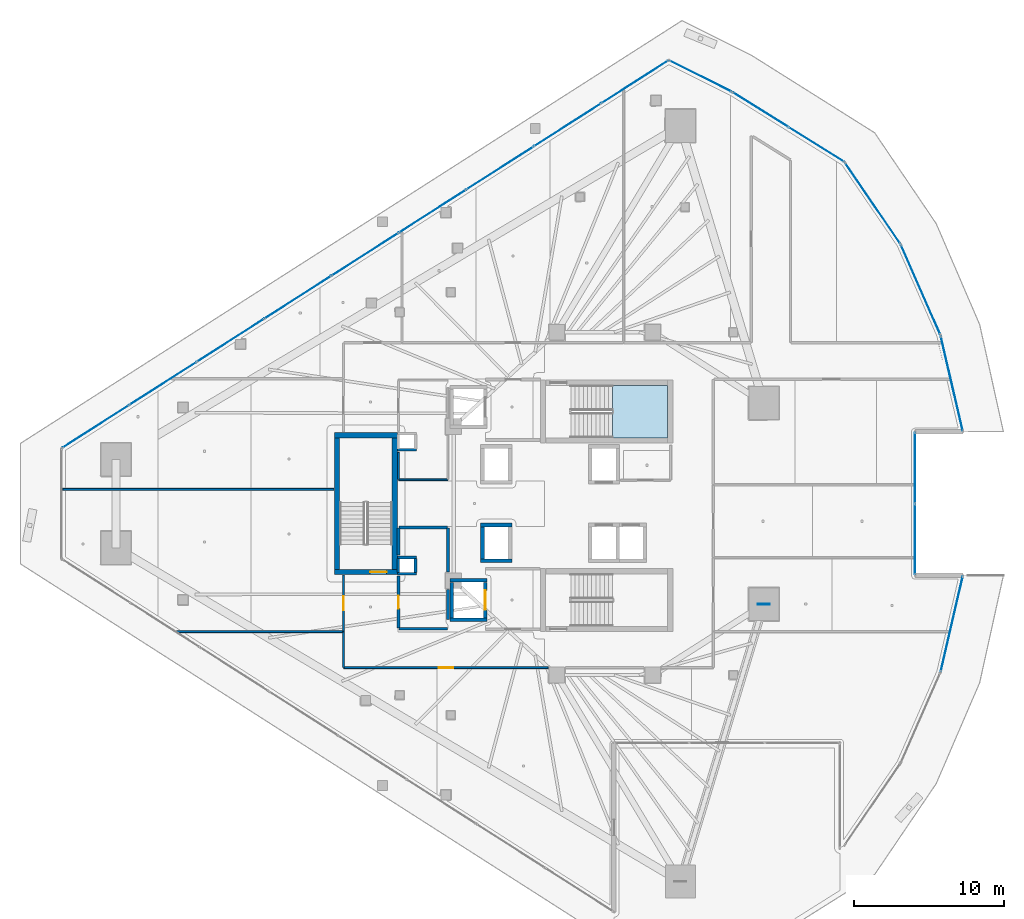
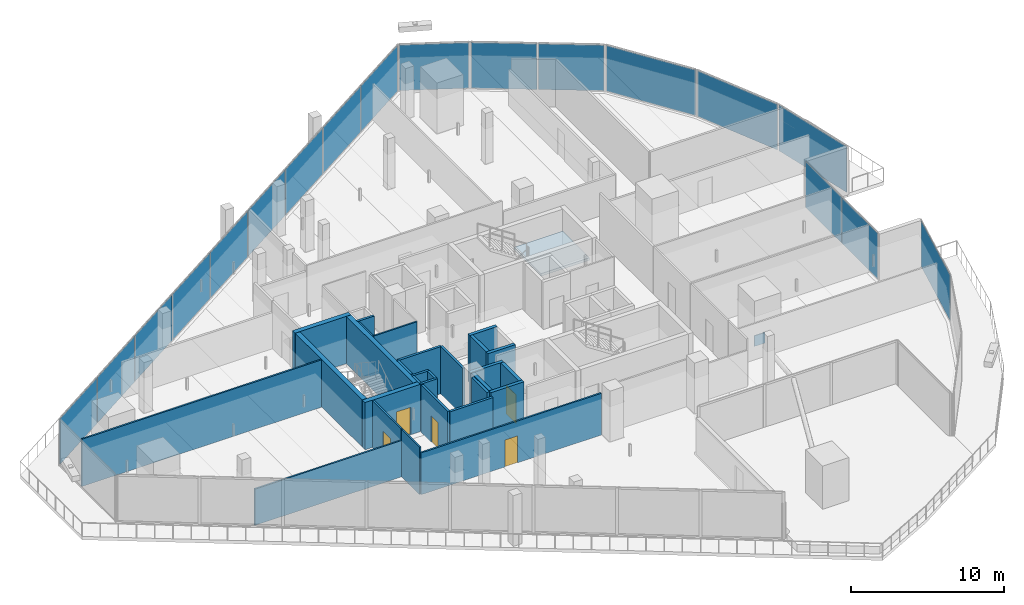
# One storey, part 26 of 39: 29 walls, 19 plates, 5 doors, 1 slab, 5 openings, 9 elements without a shape of their own.
"""IFC4 building model written with IfcOpenShell, lengths in metres."""

from ifc_helpers import new_model, si_unit, direction, frame, frame_2d, origin, origin_2d, place, context, subcontext, project, spatial, polyline, rectangle, outline, extrude, material, layer, layer_set, type_object, element, fill, aggregate, save


model = new_model("IFC4")

# Units and contexts
model_context = context("Model", 3, precision=1e-05, world=origin(), true_north=direction((0.0, 1.0)))
body_context = subcontext(model_context, "Body", "Model", "MODEL_VIEW")
ifc_project = project(units=[si_unit("LENGTHUNIT", "METRE"), si_unit("AREAUNIT", "SQUARE_METRE"), si_unit("VOLUMEUNIT", "CUBIC_METRE"), si_unit("PLANEANGLEUNIT", "RADIAN"), si_unit("MASSUNIT", "GRAM", prefix="KILO")], contexts=[model_context])

# Site, building, storey
site_placement = place(None, origin())
site = spatial("IfcSite", under=ifc_project, at=site_placement, CompositionType="ELEMENT")
building_placement = place(site_placement, origin())
building = spatial("IfcBuilding", under=site, at=building_placement, Name="Qorvath Tower", CompositionType="ELEMENT")
storey_placement = place(building_placement, frame((0.0, 0.0, 154.35009765625)))
storey = spatial("IfcBuildingStorey", under=building, at=storey_placement, Name="L35", CompositionType="ELEMENT", Elevation=154.35009765625)

# Curtain wall, plate
ifc_material_1 = material(Name="Anodised aluminium and triple low-E glass", Category="aluminium")
ifc_layer_1 = layer(ifc_material_1, 0.179931640625)
ifc_layer_set_1 = layer_set([ifc_layer_1], Name="CW-SYS-5")
curtain_wall_type = type_object("IfcCurtainWallType", Name="CW-SYS-5", PredefinedType="NOTDEFINED", material=ifc_layer_set_1)
curtain_wall_1_placement = place(storey_placement, origin())
curtain_wall_1 = element("IfcCurtainWall", 1, at=curtain_wall_1_placement, inside=storey, type_object=curtain_wall_type, Name="Curtain Wall CW-5 CW-T-L35-7.1", PredefinedType="NOTDEFINED")
ifc_material_2 = material(Name="Low-E triple insulated glass", Category="glass")
ifc_layer_2 = layer(ifc_material_2, 0.031982421875)
ifc_layer_set_2 = layer_set([ifc_layer_2], Name="CWP-GLZ-32")
plate_type_1 = type_object("IfcPlateType", Name="CWP-GLZ-32", PredefinedType="CURTAIN_PANEL", material=ifc_layer_set_2)
plate_1_placement = place(storey_placement, frame((2.787841796875, -8.028076171875, 0.06494140625), z_axis=(0.0, 0.0, 1.0), x_axis=(0.225630824395, 0.974212877703, 0.0)))
plate_1 = element("IfcPlate", 2, at=plate_1_placement, type_object=plate_type_1, Name="CW-5 panel 1.1", PredefinedType="CURTAIN_PANEL", context=body_context, shape_type="SweptSolid", body=[
    extrude(rectangle(XDim=6.487060546875, YDim=0.031982421875, at=origin_2d()), origin(), (0.0, 0.0, 1.0), 3.64990234375),
])
aggregate(curtain_wall_1, [plate_1])

# Curtain wall, plates
curtain_wall_2_placement = place(storey_placement, origin())
curtain_wall_2 = element("IfcCurtainWall", 3, at=curtain_wall_2_placement, inside=storey, type_object=curtain_wall_type, Name="Curtain Wall CW-5 CW-T-L35-9.1", PredefinedType="NOTDEFINED")
plate_2_placement = place(storey_placement, frame((0.33984375, -2.37890625, 0.06494140625), z_axis=(0.0, 0.0, 1.0), x_axis=(0.0, 1.0, 0.0)))
plate_2 = element("IfcPlate", 4, at=plate_2_placement, type_object=plate_type_1, Name="CW-5 panel 1.1", PredefinedType="CURTAIN_PANEL", context=body_context, shape_type="SweptSolid", body=[
    extrude(rectangle(XDim=4.6826171875, YDim=0.031982421875, at=origin_2d()), origin(), (0.0, 0.0, 1.0), 3.64990234375),
])
plate_3_placement = place(storey_placement, frame((0.33984375, 2.37890625, 0.06494140625), z_axis=(0.0, 0.0, 1.0), x_axis=(0.0, 1.0, 0.0)))
plate_3 = element("IfcPlate", 5, at=plate_3_placement, type_object=plate_type_1, Name="CW-5 panel 2.1", PredefinedType="CURTAIN_PANEL", context=body_context, shape_type="SweptSolid", body=[
    extrude(rectangle(XDim=4.6826171875, YDim=0.031982421875, at=origin_2d()), origin(), (0.0, 0.0, 1.0), 3.64990234375),
])
aggregate(curtain_wall_2, [plate_2, plate_3])

# Curtain wall, plate
curtain_wall_3_placement = place(storey_placement, origin())
curtain_wall_3 = element("IfcCurtainWall", 6, at=curtain_wall_3_placement, inside=storey, type_object=curtain_wall_type, Name="Curtain Wall CW-5 CW-T-L35-11.1", PredefinedType="NOTDEFINED")
plate_4_placement = place(storey_placement, frame((2.787841796875, 8.028076171875, 0.06494140625), z_axis=(0.0, 0.0, 1.0), x_axis=(-0.225630824395, 0.974212877703, 0.0)))
plate_4 = element("IfcPlate", 7, at=plate_4_placement, type_object=plate_type_1, Name="CW-5 panel 1.1", PredefinedType="CURTAIN_PANEL", context=body_context, shape_type="SweptSolid", body=[
    extrude(rectangle(XDim=6.487060546875, YDim=0.031982421875, at=origin_2d()), origin(), (0.0, 0.0, 1.0), 3.64990234375),
])
aggregate(curtain_wall_3, [plate_4])

curtain_wall_4_placement = place(storey_placement, origin())
curtain_wall_4 = element("IfcCurtainWall", 8, at=curtain_wall_4_placement, inside=storey, type_object=curtain_wall_type, Name="Curtain Wall CW-5 CW-T-L35-12.1", PredefinedType="NOTDEFINED")
plate_5_placement = place(storey_placement, frame((0.70556640625, 14.299560546875, 0.06494140625), z_axis=(0.0, 0.0, 1.0), x_axis=(-0.401902246365, 0.91568257839, 0.0)))
plate_5 = element("IfcPlate", 9, at=plate_5_placement, type_object=plate_type_1, Name="CW-5 panel 1.1", PredefinedType="CURTAIN_PANEL", context=body_context, shape_type="SweptSolid", body=[
    extrude(rectangle(XDim=6.486572265625, YDim=0.031982421875, at=origin_2d()), origin(), (0.0, 0.0, 1.0), 3.64990234375),
])
aggregate(curtain_wall_4, [plate_5])

curtain_wall_5_placement = place(storey_placement, origin())
curtain_wall_5 = element("IfcCurtainWall", 10, at=curtain_wall_5_placement, inside=storey, type_object=curtain_wall_type, Name="Curtain Wall CW-5 CW-T-L35-13.1", PredefinedType="NOTDEFINED")
plate_6_placement = place(storey_placement, frame((-2.500732421875, 20.07763671875, 0.06494140625), z_axis=(0.0, 0.0, 1.0), x_axis=(-0.564284140416, 0.825580649528, 0.0)))
plate_6 = element("IfcPlate", 11, at=plate_6_placement, type_object=plate_type_1, Name="CW-5 panel 1.1", PredefinedType="CURTAIN_PANEL", context=body_context, shape_type="SweptSolid", body=[
    extrude(rectangle(XDim=6.48681640625, YDim=0.031982421875, at=origin_2d()), origin(), (0.0, 0.0, 1.0), 3.64990234375),
])
aggregate(curtain_wall_5, [plate_6])

# Curtain wall, plates
curtain_wall_6_placement = place(storey_placement, origin())
curtain_wall_6 = element("IfcCurtainWall", 12, at=curtain_wall_6_placement, inside=storey, type_object=curtain_wall_type, Name="Curtain Wall CW-5 CW-T-L35-14.1", PredefinedType="NOTDEFINED")
plate_7_placement = place(storey_placement, frame((-6.26904296875, 24.000244140625, 0.06494140625), z_axis=(0.0, 0.0, 1.0), x_axis=(-0.848376500424, 0.529393344809, 0.0)))
plate_7 = element("IfcPlate", 13, at=plate_7_placement, type_object=plate_type_1, Name="CW-5 panel 1.1", PredefinedType="CURTAIN_PANEL", context=body_context, shape_type="SweptSolid", body=[
    extrude(rectangle(XDim=4.319091796875, YDim=0.031982421875, at=origin_2d()), origin(), (0.0, 0.0, 1.0), 3.64990234375),
])
plate_8_placement = place(storey_placement, frame((-9.996826171875, 26.32666015625, 0.06494140625), z_axis=(0.0, 0.0, 1.0), x_axis=(-0.848376500424, 0.529393344809, 0.0)))
plate_8 = element("IfcPlate", 14, at=plate_8_placement, type_object=plate_type_1, Name="CW-5 panel 2.1", PredefinedType="CURTAIN_PANEL", context=body_context, shape_type="SweptSolid", body=[
    extrude(rectangle(XDim=4.319091796875, YDim=0.031982421875, at=origin_2d()), origin(), (0.0, 0.0, 1.0), 3.64990234375),
])
aggregate(curtain_wall_6, [plate_7, plate_8])

# Curtain wall, plate
curtain_wall_7_placement = place(storey_placement, origin())
curtain_wall_7 = element("IfcCurtainWall", 15, at=curtain_wall_7_placement, inside=storey, type_object=curtain_wall_type, Name="Curtain Wall CW-5 CW-T-L35-15.1", PredefinedType="NOTDEFINED")
plate_9_placement = place(storey_placement, frame((-14.0087890625, 28.567626953125, 0.06494140625), z_axis=(0.0, 0.0, 1.0), x_axis=(-0.894418737374, 0.447230502353, 0.0)))
plate_9 = element("IfcPlate", 16, at=plate_9_placement, type_object=plate_type_1, Name="CW-5 panel 1.1", PredefinedType="CURTAIN_PANEL", context=body_context, shape_type="SweptSolid", body=[
    extrude(rectangle(XDim=4.581787109375, YDim=0.031982421875, at=origin_2d()), origin(), (0.0, 0.0, 1.0), 3.64990234375),
])
aggregate(curtain_wall_7, [plate_9])

# Curtain wall, plates
curtain_wall_8_placement = place(storey_placement, origin())
curtain_wall_8 = element("IfcCurtainWall", 17, at=curtain_wall_8_placement, inside=storey, type_object=curtain_wall_type, Name="Curtain Wall CW-5 CW-T-L35-16.1", PredefinedType="NOTDEFINED")
plate_10_placement = place(storey_placement, frame((-18.393798828125, 28.175537109375, 0.06494140625), z_axis=(0.0, 0.0, 1.0), x_axis=(-0.842602882592, -0.538535404822, 0.0)))
plate_10 = element("IfcPlate", 18, at=plate_10_placement, type_object=plate_type_1, Name="CW-5 panel 1.1", PredefinedType="CURTAIN_PANEL", context=body_context, shape_type="SweptSolid", body=[
    extrude(rectangle(XDim=5.23583984375, YDim=0.031982421875, at=origin_2d()), origin(), (0.0, 0.0, 1.0), 3.64990234375),
])
plate_11_placement = place(storey_placement, frame((-22.884521484375, 25.30517578125, 0.06494140625), z_axis=(0.0, 0.0, 1.0), x_axis=(-0.842602882592, -0.538535404822, 0.0)))
plate_11 = element("IfcPlate", 19, at=plate_11_placement, type_object=plate_type_1, Name="CW-5 panel 2.1", PredefinedType="CURTAIN_PANEL", context=body_context, shape_type="SweptSolid", body=[
    extrude(rectangle(XDim=5.2734375, YDim=0.031982421875, at=origin_2d()), origin(), (0.0, 0.0, 1.0), 3.64990234375),
])
plate_12_placement = place(storey_placement, frame((-27.39111328125, 22.425048828125, 0.06494140625), z_axis=(0.0, 0.0, 1.0), x_axis=(-0.842602882592, -0.538535404822, 0.0)))
plate_12 = element("IfcPlate", 20, at=plate_12_placement, type_object=plate_type_1, Name="CW-5 panel 3.1", PredefinedType="CURTAIN_PANEL", context=body_context, shape_type="SweptSolid", body=[
    extrude(rectangle(XDim=5.2734375, YDim=0.031982421875, at=origin_2d()), origin(), (0.0, 0.0, 1.0), 3.64990234375),
])
plate_13_placement = place(storey_placement, frame((-31.897705078125, 19.544677734375, 0.06494140625), z_axis=(0.0, 0.0, 1.0), x_axis=(-0.842602882592, -0.538535404822, 0.0)))
plate_13 = element("IfcPlate", 21, at=plate_13_placement, type_object=plate_type_1, Name="CW-5 panel 4.1", PredefinedType="CURTAIN_PANEL", context=body_context, shape_type="SweptSolid", body=[
    extrude(rectangle(XDim=5.2734375, YDim=0.031982421875, at=origin_2d()), origin(), (0.0, 0.0, 1.0), 3.64990234375),
])
plate_14_placement = place(storey_placement, frame((-36.404296875, 16.664306640625, 0.06494140625), z_axis=(0.0, 0.0, 1.0), x_axis=(-0.842602882592, -0.538535404822, 0.0)))
plate_14 = element("IfcPlate", 22, at=plate_14_placement, type_object=plate_type_1, Name="CW-5 panel 5.1", PredefinedType="CURTAIN_PANEL", context=body_context, shape_type="SweptSolid", body=[
    extrude(rectangle(XDim=5.2734375, YDim=0.031982421875, at=origin_2d()), origin(), (0.0, 0.0, 1.0), 3.64990234375),
])
plate_15_placement = place(storey_placement, frame((-40.910888671875, 13.7841796875, 0.06494140625), z_axis=(0.0, 0.0, 1.0), x_axis=(-0.842602882592, -0.538535404822, 0.0)))
plate_15 = element("IfcPlate", 23, at=plate_15_placement, type_object=plate_type_1, Name="CW-5 panel 6.1", PredefinedType="CURTAIN_PANEL", context=body_context, shape_type="SweptSolid", body=[
    extrude(rectangle(XDim=5.2734375, YDim=0.031982421875, at=origin_2d()), origin(), (0.0, 0.0, 1.0), 3.64990234375),
])
plate_16_placement = place(storey_placement, frame((-45.41748046875, 10.90380859375, 0.06494140625), z_axis=(0.0, 0.0, 1.0), x_axis=(-0.842602882592, -0.538535404822, 0.0)))
plate_16 = element("IfcPlate", 24, at=plate_16_placement, type_object=plate_type_1, Name="CW-5 panel 7.1", PredefinedType="CURTAIN_PANEL", context=body_context, shape_type="SweptSolid", body=[
    extrude(rectangle(XDim=5.2734375, YDim=0.031982421875, at=origin_2d()), origin(), (0.0, 0.0, 1.0), 3.64990234375),
])
plate_17_placement = place(storey_placement, frame((-49.924072265625, 8.0234375, 0.06494140625), z_axis=(0.0, 0.0, 1.0), x_axis=(-0.842602882592, -0.538535404822, 0.0)))
plate_17 = element("IfcPlate", 25, at=plate_17_placement, type_object=plate_type_1, Name="CW-5 panel 8.1", PredefinedType="CURTAIN_PANEL", context=body_context, shape_type="SweptSolid", body=[
    extrude(rectangle(XDim=5.2734375, YDim=0.031982421875, at=origin_2d()), origin(), (0.0, 0.0, 1.0), 3.64990234375),
])
plate_18_placement = place(storey_placement, frame((-54.414794921875, 5.1533203125, 0.06494140625), z_axis=(0.0, 0.0, 1.0), x_axis=(-0.842602882592, -0.538535404822, 0.0)))
plate_18 = element("IfcPlate", 26, at=plate_18_placement, type_object=plate_type_1, Name="CW-5 panel 9.1", PredefinedType="CURTAIN_PANEL", context=body_context, shape_type="SweptSolid", body=[
    extrude(rectangle(XDim=5.23583984375, YDim=0.031982421875, at=origin_2d()), origin(), (0.0, 0.0, 1.0), 3.64990234375),
])
aggregate(curtain_wall_8, [plate_10, plate_11, plate_12, plate_13, plate_14, plate_15, plate_16, plate_17, plate_18])

# Plate
ifc_material_3 = material(Name="Steel ASTM A572 Grade 50", Category="steel")
ifc_layer_3 = layer(ifc_material_3, 0.054931640625)
ifc_layer_set_3 = layer_set([ifc_layer_3], Name="PL-MBN1")
plate_type_2 = type_object("IfcPlateType", Name="PL-MBN1", PredefinedType="USERDEFINED", material=ifc_layer_set_3)
plate_19_placement = place(storey_placement, frame((-9.770263671875, -6.721435546875, -0.425048828125), z_axis=(0.0, 0.0, 1.0), x_axis=(1.0, 0.0, 0.0)))
element("IfcPlate", 27, at=plate_19_placement, inside=storey, type_object=plate_type_2, Name="Brace Strut End Gusset Plate NDBG-141", ObjectType="GUSSET", PredefinedType="USERDEFINED", context=body_context, shape_type="SweptSolid", body=[
    extrude(rectangle(XDim=0.800048828125, YDim=0.054931640625, at=origin_2d()), origin(), (0.0, 0.0, 1.0), 0.85009765625),
])

# Stair, slab
ifc_material_4 = material(Name="Concrete C50/60", Category="concrete")
stair_type = type_object("IfcStairType", Name="ST-H405", PredefinedType="HALF_TURN_STAIR", material=ifc_material_4)
stair_placement = place(storey_placement, origin())
stair = element("IfcStair", 28, at=stair_placement, inside=storey, type_object=stair_type, Name="L35 Tower Exit Stair 1", PredefinedType="HALF_TURN_STAIR")
ifc_material_5 = material(Name="Concrete C50/60", Category="concrete")
ifc_layer_4 = layer(ifc_material_5, 0.199951171875)
ifc_layer_set_4 = layer_set([ifc_layer_4], Name="SL-LND-200")
slab_type = type_object("IfcSlabType", Name="SL-LND-200", PredefinedType="LANDING", material=ifc_layer_set_4)
slab_placement = place(storey_placement, frame((0.0, 0.0, 1.824951171875)))
slab = element("IfcSlab", 29, at=slab_placement, type_object=slab_type, Name="TS1 landing 1", PredefinedType="LANDING", context=body_context, shape_type="SweptSolid", body=[
    extrude(outline(polyline([(-19.8701171875, 4.39990234375), (-16.199951171875, 4.39990234375), (-16.199951171875, 7.909912109375), (-19.8701171875, 7.909912109375), (-19.8701171875, 4.39990234375)])), origin(), (0.0, 0.0, 1.0), 0.199951171875),
])
aggregate(stair, [slab])

# Walls
ifc_material_6 = material(Name="Gypsum shaftliner on steel studs", Category="steel")
ifc_layer_5 = layer(ifc_material_6, 0.179931640625)
ifc_layer_set_5 = layer_set([ifc_layer_5], Name="FW-LOBBY")
wall_type_1 = type_object("IfcWallType", Name="FW-LOBBY", PredefinedType="PARTITIONING", material=ifc_layer_set_5)
for number, where, z_axis, x_axis, name in (
    (30, (-32.989990234375, 3.594970703125, 0.0), (0.0, 0.0, 1.0), (-1.0, 0.0, 0.0), "MEP Riser Shaft Enclosure Wall N-L35-S"),
    (31, (-32.989990234375, -4.675048828125, 0.0), (0.0, 0.0, 1.0), (-1.0, 0.0, 0.0), "MEP Riser Shaft Enclosure Wall S-L35-S"),
    (32, (-34.260009765625, -3.594970703125, 0.0), (0.0, 0.0, 1.0), (1.0, 0.0, 0.0), "MEP Riser Shaft Enclosure Wall S-L35-N"),
):
    element("IfcWall", number, at=place(storey_placement, frame(where, z_axis=z_axis, x_axis=x_axis)), inside=storey, type_object=wall_type_1, Name=name, PredefinedType="PARTITIONING", context=body_context, shape_type="SweptSolid", body=[
        extrude(rectangle(XDim=1.27001953125, YDim=0.179931640625, at=frame_2d((0.635009765625, 0.0))), origin(), (0.0, 0.0, 1.0), 3.77978515625),
    ])
for number, where, z_axis, x_axis, name in (
    (33, (-34.205078125, -4.610107421875, 0.0), (0.0, 0.0, 1.0), (0.0, 1.0, 0.0), "MEP Riser Shaft Enclosure Wall S-L35-W"),
    (34, (-33.044921875, -3.659912109375, 0.0), (0.0, 0.0, 1.0), (0.0, -1.0, 0.0), "MEP Riser Shaft Enclosure Wall S-L35-E"),
):
    element("IfcWall", number, at=place(storey_placement, frame(where, z_axis=z_axis, x_axis=x_axis)), inside=storey, type_object=wall_type_1, Name=name, PredefinedType="PARTITIONING", context=body_context, shape_type="SweptSolid", body=[
        extrude(rectangle(XDim=0.9501953125, YDim=0.179931640625, at=frame_2d((0.47509765625, 0.0))), origin(), (0.0, 0.0, 1.0), 3.77978515625),
    ])
wall_1_placement = place(storey_placement, frame((-34.15478515625, -8.35009765625, 0.0), z_axis=(0.0, 0.0, 1.0), x_axis=(1.0, 0.0, 0.0)))
element("IfcWall", 35, at=wall_1_placement, inside=storey, type_object=wall_type_1, Name="Interior Partition IW-T1-L35-013", PredefinedType="PARTITIONING", context=body_context, shape_type="SweptSolid", body=[
    extrude(rectangle(XDim=3.25, YDim=0.179931640625, at=frame_2d((1.625, 0.0))), origin(), (0.0, 0.0, 1.0), 3.77978515625),
])
wall_2_placement = place(storey_placement, frame((-30.8798828125, -7.742919921875, 0.0), z_axis=(0.0, 0.0, 1.0), x_axis=(0.0, 1.0, 0.0)))
element("IfcWall", 36, at=wall_2_placement, inside=storey, type_object=wall_type_1, Name="Interior Partition IW-T1-L35-014", PredefinedType="PARTITIONING", context=body_context, shape_type="SweptSolid", body=[
    extrude(rectangle(XDim=2.0029296875, YDim=0.179931640625, at=frame_2d((1.00146484375, 0.0))), origin(), (0.0, 0.0, 1.0), 3.77978515625),
])
wall_3_placement = place(storey_placement, frame((-30.8798828125, -4.56005859375, 0.0), z_axis=(0.0, 0.0, 1.0), x_axis=(0.0, 1.0, 0.0)))
element("IfcWall", 37, at=wall_3_placement, inside=storey, type_object=wall_type_1, Name="Interior Partition IW-T1-L35-015", PredefinedType="PARTITIONING", context=body_context, shape_type="SweptSolid", body=[
    extrude(rectangle(XDim=2.93505859375, YDim=0.179931640625, at=frame_2d((1.467529296875, 0.0))), origin(), (0.0, 0.0, 1.0), 3.77978515625),
])
wall_4_placement = place(storey_placement, frame((-30.90478515625, -1.60009765625, 0.0), z_axis=(0.0, 0.0, 1.0), x_axis=(-1.0, 0.0, 0.0)))
element("IfcWall", 38, at=wall_4_placement, inside=storey, type_object=wall_type_1, Name="Interior Partition IW-T1-L35-016", PredefinedType="PARTITIONING", context=body_context, shape_type="SweptSolid", body=[
    extrude(rectangle(XDim=3.25, YDim=0.179931640625, at=frame_2d((1.625, 0.0))), origin(), (0.0, 0.0, 1.0), 3.77978515625),
])
wall_5_placement = place(storey_placement, frame((-34.179931640625, -1.625, 0.0), z_axis=(0.0, 0.0, 1.0), x_axis=(0.0, -1.0, 0.0)))
element("IfcWall", 39, at=wall_5_placement, inside=storey, type_object=wall_type_1, Name="Interior Partition IW-T1-L35-017", PredefinedType="PARTITIONING", context=body_context, shape_type="SweptSolid", body=[
    extrude(rectangle(XDim=1.804931640625, YDim=0.179931640625, at=frame_2d((0.90234375, 0.0))), origin(), (0.0, 0.0, 1.0), 3.77978515625),
])

# Wall, opening, door
wall_6_placement = place(storey_placement, frame((-34.179931640625, -4.840087890625, 0.0), z_axis=(0.0, 0.0, 1.0), x_axis=(0.0, -1.0, 0.0)))
wall_6 = element("IfcWall", 40, at=wall_6_placement, inside=storey, type_object=wall_type_1, Name="Interior Partition IW-T1-L35-018", PredefinedType="PARTITIONING", context=body_context, shape_type="SweptSolid", body=[
    extrude(rectangle(XDim=3.485107421875, YDim=0.179931640625, at=frame_2d((1.74267578125, 0.0))), origin(), (0.0, 0.0, 1.0), 3.77978515625),
])
opening_1_placement = place(wall_6_placement, frame((1.302490234375, 0.0, 0.0)))
opening_1 = element("IfcOpeningElement", 41, at=opening_1_placement, cuts=wall_6, Name="Opening D-T1-L35-03", PredefinedType="OPENING", context=body_context, shape_type="SweptSolid", body=[
    extrude(rectangle(XDim=0.8798828125, YDim=2.10009765625, at=frame_2d((0.43994140625, 1.050048828125))), frame((0.0, 0.10009765625, 0.0), z_axis=(0.0, -1.0, 0.0), x_axis=(1.0, 0.0, 0.0)), (0.0, 0.0, 1.0), 0.199951171875),
])
ifc_material_7 = material(Name="Painted galvanised hollow metal", Category="steel")
door_type_1 = type_object("IfcDoorType", Name="FD-60N", OperationType="NOTDEFINED", PredefinedType="DOOR", material=ifc_material_7)
door_1_placement = place(opening_1_placement, origin())
door_1 = element("IfcDoor", 42, at=door_1_placement, inside=storey, type_object=door_type_1, Name="Core electrical and cleaner room L35 Door D-T1-L35-03", OperationType="SINGLE_SWING_RIGHT", OverallHeight=2.10009765625, OverallWidth=0.8798828125, PredefinedType="DOOR", context=body_context, shape_type="SweptSolid", body=[
    extrude(rectangle(XDim=0.8798828125, YDim=2.10009765625, at=frame_2d((0.43994140625, 1.050048828125))), frame((0.0, 0.02490234375, 0.0), z_axis=(0.0, -1.0, 0.0), x_axis=(1.0, 0.0, 0.0)), (0.0, 0.0, 1.0), 0.050048828125),
])
fill(opening_1, door_1)

ifc_material_8 = material(Name="Gypsum board on metal studs with mineral wool", Category="gypsum")
ifc_layer_6 = layer(ifc_material_8, 0.125)
ifc_layer_set_6 = layer_set([ifc_layer_6], Name="IW-PART-125")
wall_type_2 = type_object("IfcWallType", Name="IW-PART-125", PredefinedType="PARTITIONING", material=ifc_layer_set_6)
wall_7_placement = place(storey_placement, frame((-24.18994140625, -10.9580078125, 0.0), z_axis=(0.0, 0.0, 1.0), x_axis=(-1.0, 0.0, 0.0)))
wall_7 = element("IfcWall", 43, at=wall_7_placement, inside=storey, type_object=wall_type_2, Name="Interior Partition IW-T1-L35-035", PredefinedType="PARTITIONING", context=body_context, shape_type="SweptSolid", body=[
    extrude(rectangle(XDim=13.64306640625, YDim=0.125, at=frame_2d((6.821533203125, 0.0))), origin(), (0.0, 0.0, 1.0), 3.343994140625),
])
opening_2_placement = place(wall_7_placement, frame((6.346435546875, 0.0, 0.0)))
opening_2 = element("IfcOpeningElement", 44, at=opening_2_placement, cuts=wall_7, Name="Opening D-T1-L35-07", PredefinedType="OPENING", context=body_context, shape_type="SweptSolid", body=[
    extrude(rectangle(XDim=0.949951171875, YDim=2.14990234375, at=frame_2d((0.47509765625, 1.074951171875))), frame((0.0, 0.072509765625, 0.0), z_axis=(0.0, -1.0, 0.0), x_axis=(1.0, 0.0, 0.0)), (0.0, 0.0, 1.0), 0.14501953125),
])
ifc_material_9 = material(Name="Solid-core American white oak veneer", Category="wood")
door_type_2 = type_object("IfcDoorType", Name="D-01", OperationType="NOTDEFINED", PredefinedType="DOOR", material=ifc_material_9)
door_2_placement = place(opening_2_placement, origin())
door_2 = element("IfcDoor", 45, at=door_2_placement, inside=storey, type_object=door_type_2, Name="L35-04 Design Pin-Up Atelier Door D-T1-L35-07", OperationType="SINGLE_SWING_RIGHT", OverallHeight=2.14990234375, OverallWidth=0.949951171875, PredefinedType="DOOR", context=body_context, shape_type="SweptSolid", body=[
    extrude(rectangle(XDim=0.949951171875, YDim=2.14990234375, at=frame_2d((0.47509765625, 1.074951171875))), frame((0.0, 0.02490234375, 0.0), z_axis=(0.0, -1.0, 0.0), x_axis=(1.0, 0.0, 0.0)), (0.0, 0.0, 1.0), 0.050048828125),
])
fill(opening_2, door_2)

# Walls
wall_8_placement = place(storey_placement, frame((-37.85791015625, -8.574951171875, 0.0), z_axis=(0.0, 0.0, 1.0), x_axis=(0.0, -1.0, 0.0)))
element("IfcWall", 46, at=wall_8_placement, inside=storey, type_object=wall_type_2, Name="Interior Partition IW-T1-L35-036", PredefinedType="PARTITIONING", context=body_context, shape_type="SweptSolid", body=[
    extrude(rectangle(XDim=2.358154296875, YDim=0.125, at=frame_2d((1.17919921875, 0.0))), origin(), (0.0, 0.0, 1.0), 3.77978515625),
])
wall_9_placement = place(storey_placement, frame((-37.8828125, -8.550048828125, 0.0), z_axis=(0.0, 0.0, 1.0), x_axis=(-1.0, 0.0, 0.0)))
element("IfcWall", 47, at=wall_9_placement, inside=storey, type_object=wall_type_2, Name="Interior Partition IW-T1-L35-037", PredefinedType="PARTITIONING", context=body_context, shape_type="SweptSolid", body=[
    extrude(rectangle(XDim=11.137451171875, YDim=0.125, at=frame_2d((5.56884765625, 0.0))), origin(), (0.0, 0.0, 1.0), 2.899658203125),
])

# Wall, opening, door
wall_10_placement = place(storey_placement, frame((-37.85791015625, -8.51708984375, 0.0), z_axis=(0.0, 0.0, 1.0), x_axis=(0.0, 1.0, 0.0)))
wall_10 = element("IfcWall", 48, at=wall_10_placement, inside=storey, type_object=wall_type_2, Name="Interior Partition IW-T1-L35-044", PredefinedType="PARTITIONING", context=body_context, shape_type="SweptSolid", body=[
    extrude(rectangle(XDim=3.73388671875, YDim=0.125, at=frame_2d((1.866943359375, 0.0))), origin(), (0.0, 0.0, 1.0), 3.77978515625),
])
opening_3_placement = place(wall_10_placement, frame((1.391845703125, 0.0, 0.0)))
opening_3 = element("IfcOpeningElement", 49, at=opening_3_placement, cuts=wall_10, Name="Opening D-T1-L35-11", PredefinedType="OPENING", context=body_context, shape_type="SweptSolid", body=[
    extrude(rectangle(XDim=0.949951171875, YDim=2.14990234375, at=frame_2d((0.47509765625, 1.074951171875))), frame((0.0, 0.072509765625, 0.0), z_axis=(0.0, -1.0, 0.0), x_axis=(1.0, 0.0, 0.0)), (0.0, 0.0, 1.0), 0.14501953125),
])
door_3_placement = place(opening_3_placement, origin())
door_3 = element("IfcDoor", 50, at=door_3_placement, inside=storey, type_object=door_type_2, Name="L35-08 Quantitative Research Studio Door D-T1-L35-11", OperationType="SINGLE_SWING_RIGHT", OverallHeight=2.14990234375, OverallWidth=0.949951171875, PredefinedType="DOOR", context=body_context, shape_type="SweptSolid", body=[
    extrude(rectangle(XDim=0.949951171875, YDim=2.14990234375, at=frame_2d((0.47509765625, 1.074951171875))), frame((0.0, 0.02490234375, 0.0), z_axis=(0.0, -1.0, 0.0), x_axis=(1.0, 0.0, 0.0)), (0.0, 0.0, 1.0), 0.050048828125),
])
fill(opening_3, door_3)

# Walls
wall_11_placement = place(storey_placement, frame((-38.492919921875, 0.953369140625, 0.0), z_axis=(0.0, 0.0, 1.0), x_axis=(-1.0, 0.0, 0.0)))
element("IfcWall", 51, at=wall_11_placement, inside=storey, type_object=wall_type_2, Name="Interior Partition IW-T1-L35-045", PredefinedType="PARTITIONING", context=body_context, shape_type="SweptSolid", body=[
    extrude(rectangle(XDim=18.11083984375, YDim=0.125, at=frame_2d((9.055419921875, 0.0))), origin(), (0.0, 0.0, 1.0), 3.77978515625),
])
ifc_material_10 = material(Name="Moisture-resistant cement board on metal studs", Category="gypsum")
ifc_layer_7 = layer(ifc_material_10, 0.110107421875)
ifc_layer_set_7 = layer_set([ifc_layer_7], Name="IW-WC-110")
wall_type_3 = type_object("IfcWallType", Name="IW-WC-110", PredefinedType="PARTITIONING", material=ifc_layer_set_7)
wall_12_placement = place(storey_placement, frame((-34.15478515625, 1.60009765625, 0.0), z_axis=(0.0, 0.0, 1.0), x_axis=(1.0, 0.0, 0.0)))
element("IfcWall", 52, at=wall_12_placement, inside=storey, type_object=wall_type_3, Name="Interior Partition IW-T1-L35-005", PredefinedType="PARTITIONING", context=body_context, shape_type="SweptSolid", body=[
    extrude(rectangle(XDim=3.25, YDim=0.110107421875, at=frame_2d((1.625, 0.0))), origin(), (0.0, 0.0, 1.0), 3.77978515625),
])
wall_13_placement = place(storey_placement, frame((-34.179931640625, 3.429931640625, 0.0), z_axis=(0.0, 0.0, 1.0), x_axis=(0.0, -1.0, 0.0)))
element("IfcWall", 53, at=wall_13_placement, inside=storey, type_object=wall_type_3, Name="Interior Partition IW-T1-L35-010", PredefinedType="PARTITIONING", context=body_context, shape_type="SweptSolid", body=[
    extrude(rectangle(XDim=1.804931640625, YDim=0.110107421875, at=frame_2d((0.90234375, 0.0))), origin(), (0.0, 0.0, 1.0), 3.77978515625),
])
ifc_material_11 = material(Name="Concrete C60/75", Category="concrete")
ifc_layer_8 = layer(ifc_material_11, 0.260009765625)
ifc_layer_set_8 = layer_set([ifc_layer_8], Name="SW-SHAFT")
wall_type_4 = type_object("IfcWallType", Name="SW-SHAFT", PredefinedType="SHEAR", material=ifc_layer_set_8)
for number, where, z_axis, x_axis, name in (
    (54, (-28.260009765625, -7.77001953125, 0.0), (0.0, 0.0, 1.0), (-1.0, 0.0, 0.0), "Hoistway Wall FSAE-2 L35 S"),
    (55, (-30.739990234375, -5.1298828125, 0.0), (0.0, 0.0, 1.0), (1.0, 0.0, 0.0), "Hoistway Wall FSAE-2 L35 N"),
):
    element("IfcWall", number, at=place(storey_placement, frame(where, z_axis=z_axis, x_axis=x_axis)), inside=storey, type_object=wall_type_4, Name=name, PredefinedType="SHEAR", context=body_context, shape_type="SweptSolid", body=[
        extrude(rectangle(XDim=2.47998046875, YDim=0.239990234375, at=frame_2d((1.239990234375, 0.0))), origin(), (0.0, 0.0, 1.0), 3.77978515625),
    ])
wall_14_placement = place(storey_placement, frame((-30.6201171875, -7.637939453125, 0.0), z_axis=(0.0, 0.0, 1.0), x_axis=(0.0, 1.0, 0.0)))
element("IfcWall", 56, at=wall_14_placement, inside=storey, type_object=wall_type_4, Name="Hoistway Wall FSAE-2 L35 W", PredefinedType="SHEAR", context=body_context, shape_type="SweptSolid", body=[
    extrude(rectangle(XDim=2.3759765625, YDim=0.239990234375, at=frame_2d((1.18798828125, 0.0))), origin(), (0.0, 0.0, 1.0), 3.77978515625),
])

# Wall, opening, door
wall_15_placement = place(storey_placement, frame((-28.3798828125, -5.261962890625, 0.0), z_axis=(0.0, 0.0, 1.0), x_axis=(0.0, -1.0, 0.0)))
wall_15 = element("IfcWall", 57, at=wall_15_placement, inside=storey, type_object=wall_type_4, Name="Hoistway Wall FSAE-2 L35 E", PredefinedType="SHEAR", context=body_context, shape_type="SweptSolid", body=[
    extrude(rectangle(XDim=2.3759765625, YDim=0.239990234375, at=frame_2d((1.18798828125, 0.0))), origin(), (0.0, 0.0, 1.0), 3.77978515625),
])
opening_4_placement = place(wall_15_placement, frame((0.5380859375, 0.0, 0.0)))
opening_4 = element("IfcOpeningElement", 58, at=opening_4_placement, cuts=wall_15, Name="Opening LD-FSAE-2-L35", PredefinedType="OPENING", context=body_context, shape_type="SweptSolid", body=[
    extrude(rectangle(XDim=1.300048828125, YDim=2.300048828125, at=frame_2d((0.64990234375, 1.14990234375))), frame((0.0, 0.1298828125, 0.0), z_axis=(0.0, -1.0, 0.0), x_axis=(1.0, 0.0, 0.0)), (0.0, 0.0, 1.0), 0.260009765625),
])
ifc_material_12 = material(Name="Brushed stainless steel AISI 316", Category="steel")
door_type_3 = type_object("IfcDoorType", Name="LD-02", OperationType="NOTDEFINED", PredefinedType="DOOR", material=ifc_material_12)
door_4_placement = place(opening_4_placement, origin())
door_4 = element("IfcDoor", 59, at=door_4_placement, inside=storey, type_object=door_type_3, Name="Elevator Landing Sliding Door LD-FSAE-2-L35", OperationType="DOUBLE_DOOR_SLIDING", OverallHeight=2.300048828125, OverallWidth=1.300048828125, PredefinedType="DOOR", context=body_context, shape_type="SweptSolid", body=[
    extrude(rectangle(XDim=1.300048828125, YDim=2.300048828125, at=frame_2d((0.64990234375, 1.14990234375))), frame((0.0, 0.02490234375, 0.0), z_axis=(0.0, -1.0, 0.0), x_axis=(1.0, 0.0, 0.0)), (0.0, 0.0, 1.0), 0.050048828125),
])
fill(opening_4, door_4)

# Walls
for number, where, z_axis, x_axis, name in (
    (60, (-26.610107421875, -3.820068359375, 0.0), (0.0, 0.0, 1.0), (-1.0, 0.0, 0.0), "Hoistway Wall PS-2 L35 S"),
    (61, (-28.68994140625, -1.429931640625, 0.0), (0.0, 0.0, 1.0), (1.0, 0.0, 0.0), "Hoistway Wall PS-2 L35 N"),
):
    element("IfcWall", number, at=place(storey_placement, frame(where, z_axis=z_axis, x_axis=x_axis)), inside=storey, type_object=wall_type_4, Name=name, PredefinedType="SHEAR", context=body_context, shape_type="SweptSolid", body=[
        extrude(rectangle(XDim=2.079833984375, YDim=0.239990234375, at=frame_2d((1.0400390625, 0.0))), origin(), (0.0, 0.0, 1.0), 3.77978515625),
    ])
wall_16_placement = place(storey_placement, frame((-28.570068359375, -3.68798828125, 0.0), z_axis=(0.0, 0.0, 1.0), x_axis=(0.0, 1.0, 0.0)))
element("IfcWall", 62, at=wall_16_placement, inside=storey, type_object=wall_type_4, Name="Hoistway Wall PS-2 L35 W", PredefinedType="SHEAR", context=body_context, shape_type="SweptSolid", body=[
    extrude(rectangle(XDim=2.1259765625, YDim=0.239990234375, at=frame_2d((1.06298828125, 0.0))), origin(), (0.0, 0.0, 1.0), 3.77978515625),
])

# Wall, opening, door
ifc_material_13 = material(Name="Concrete C60/75", Category="concrete")
ifc_layer_9 = layer(ifc_material_13, 0.35009765625)
ifc_layer_set_9 = layer_set([ifc_layer_9], Name="SW-STAIR")
wall_type_5 = type_object("IfcWallType", Name="SW-STAIR", PredefinedType="SHEAR", material=ifc_layer_set_9)
wall_17_placement = place(storey_placement, frame((-38.4599609375, -4.574951171875, 0.0), z_axis=(0.0, 0.0, 1.0), x_axis=(1.0, 0.0, 0.0)))
wall_17 = element("IfcWall", 63, at=wall_17_placement, inside=storey, type_object=wall_type_5, Name="Stair TS3 Shear Wall L35 NEAR", PredefinedType="SHEAR", context=body_context, shape_type="SweptSolid", body=[
    extrude(rectangle(XDim=4.2099609375, YDim=0.35009765625, at=frame_2d((2.10498046875, 0.0))), origin(), (0.0, 0.0, 1.0), 3.77978515625),
])
opening_5_placement = place(wall_17_placement, frame((2.389892578125, 0.0, 0.0)))
opening_5 = element("IfcOpeningElement", 64, at=opening_5_placement, cuts=wall_17, Name="Opening D-TS3-L35", PredefinedType="OPENING", context=body_context, shape_type="SweptSolid", body=[
    extrude(rectangle(XDim=1.10009765625, YDim=2.199951171875, at=frame_2d((0.550048828125, 1.10009765625))), frame((0.0, 0.18505859375, 0.0), z_axis=(0.0, -1.0, 0.0), x_axis=(1.0, 0.0, 0.0)), (0.0, 0.0, 1.0), 0.3701171875),
])
ifc_material_14 = material(Name="Painted galvanised hollow metal", Category="steel")
door_type_4 = type_object("IfcDoorType", Name="FD-90", OperationType="NOTDEFINED", PredefinedType="DOOR", material=ifc_material_14)
door_5_placement = place(opening_5_placement, origin())
door_5 = element("IfcDoor", 65, at=door_5_placement, inside=storey, type_object=door_type_4, Name="Stair TS3 Fire Door L35", OperationType="SINGLE_SWING_RIGHT", OverallHeight=2.199951171875, OverallWidth=1.10009765625, PredefinedType="DOOR", context=body_context, shape_type="SweptSolid", body=[
    extrude(rectangle(XDim=1.10009765625, YDim=2.199951171875, at=frame_2d((0.550048828125, 1.10009765625))), frame((0.0, 0.02490234375, 0.0), z_axis=(0.0, -1.0, 0.0), x_axis=(1.0, 0.0, 0.0)), (0.0, 0.0, 1.0), 0.050048828125),
])
fill(opening_5, door_5)

# Walls
wall_18_placement = place(storey_placement, frame((-34.25, 4.574951171875, 0.0), z_axis=(0.0, 0.0, 1.0), x_axis=(-1.0, 0.0, 0.0)))
element("IfcWall", 66, at=wall_18_placement, inside=storey, type_object=wall_type_5, Name="Stair TS3 Shear Wall L35 FAR", PredefinedType="SHEAR", context=body_context, shape_type="SweptSolid", body=[
    extrude(rectangle(XDim=4.2099609375, YDim=0.35009765625, at=frame_2d((2.10498046875, 0.0))), origin(), (0.0, 0.0, 1.0), 3.77978515625),
])
for number, where, z_axis, x_axis, name in (
    (67, (-34.425048828125, -4.385009765625, 0.0), (0.0, 0.0, 1.0), (0.0, 1.0, 0.0), "Stair TS3 Shear Wall L35 LEFT"),
    (68, (-38.284912109375, 4.385009765625, 0.0), (0.0, 0.0, 1.0), (0.0, -1.0, 0.0), "Stair TS3 Shear Wall L35 RIGHT"),
):
    element("IfcWall", number, at=place(storey_placement, frame(where, z_axis=z_axis, x_axis=x_axis)), inside=storey, type_object=wall_type_5, Name=name, PredefinedType="SHEAR", context=body_context, shape_type="SweptSolid", body=[
        extrude(rectangle(XDim=8.77001953125, YDim=0.35009765625, at=frame_2d((4.385009765625, 0.0))), origin(), (0.0, 0.0, 1.0), 3.77978515625),
    ])

save(model, "model.ifc")
